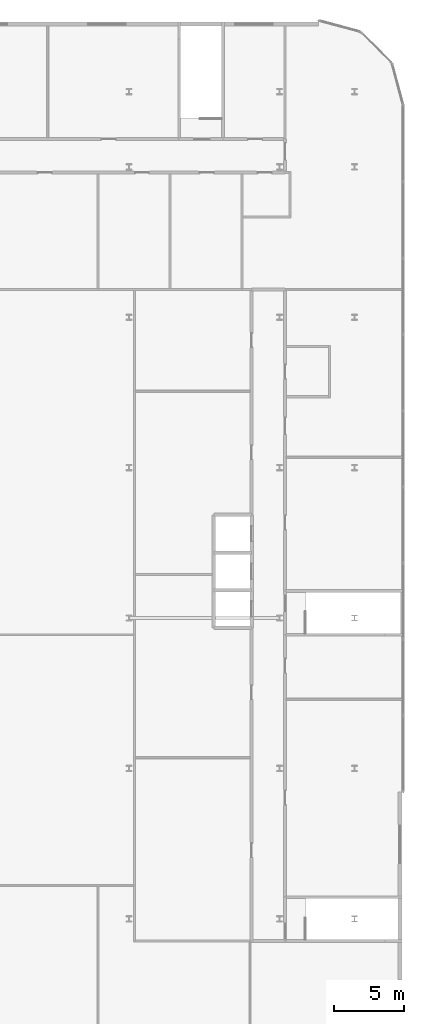
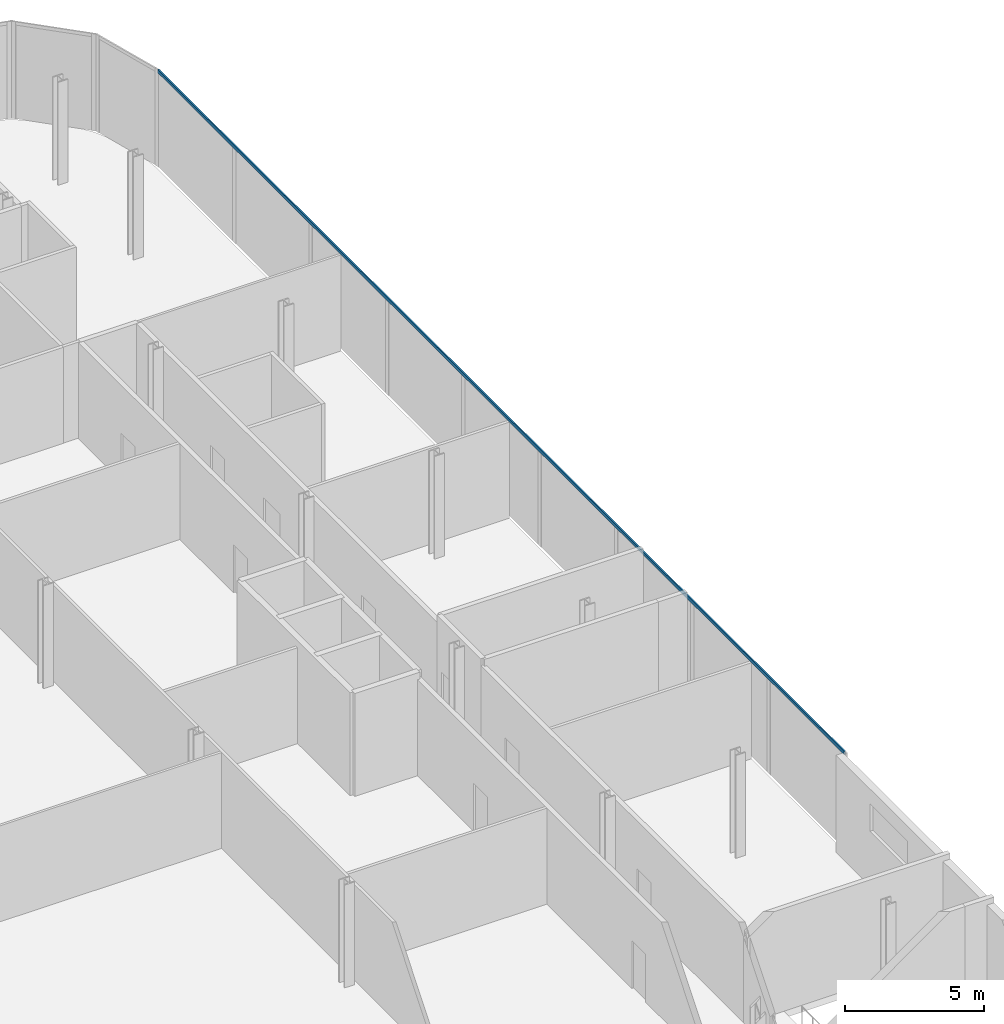
# One storey, part 20 of 43: 1 member, 1 element without a shape of its own.
"""IFC4 building model written with IfcOpenShell, lengths in metres."""

from ifc_helpers import new_model, si_unit, direction, frame, origin, origin_2d, place, context, subcontext, project, spatial, rectangle, extrude, material, layer, layer_set, material_profile, profile_set, type_object, element, aggregate, save


model = new_model("IFC4")

# Units and contexts
model_context = context("Model", 3, precision=1e-05, world=origin(), true_north=direction((0.0, 1.0)))
body_context = subcontext(model_context, "Body", "Model", "MODEL_VIEW")
ifc_project = project(units=[si_unit("LENGTHUNIT", "METRE"), si_unit("AREAUNIT", "SQUARE_METRE"), si_unit("VOLUMEUNIT", "CUBIC_METRE"), si_unit("PLANEANGLEUNIT", "RADIAN"), si_unit("MASSUNIT", "GRAM", prefix="KILO")], contexts=[model_context])

# Site, building, storey
site_placement = place(None, origin())
site = spatial("IfcSite", under=ifc_project, at=site_placement, CompositionType="ELEMENT")
building_placement = place(site_placement, origin())
building = spatial("IfcBuilding", under=site, at=building_placement, Name="Kheshtan School and Residences Tower", CompositionType="ELEMENT")
storey_placement = place(building_placement, frame((0.0, 0.0, 26.0)))
storey = spatial("IfcBuildingStorey", under=building, at=storey_placement, Name="L05", CompositionType="ELEMENT", Elevation=26.0)

# Curtain wall, member
ifc_material_1 = material(Name="Clear low-e glass in thermally broken aluminium frame", Category="aluminium")
ifc_layer = layer(ifc_material_1, 0.22509765625)
ifc_layer_set = layer_set([ifc_layer], Name="Curtain wall CW-P")
curtain_wall_type = type_object("IfcCurtainWallType", Name="Curtain wall CW-P", PredefinedType="NOTDEFINED", material=ifc_layer_set)
curtain_wall_placement = place(storey_placement, origin())
curtain_wall = element("IfcCurtainWall", 1, at=curtain_wall_placement, inside=storey, type_object=curtain_wall_type, Name="Curtain wall CWP8a", PredefinedType="NOTDEFINED")
ifc_material_2 = material(Name="Thermally broken aluminium, dark bronze anodised", Category="aluminium")
ifc_material_profile = material_profile(ifc_material_2, rectangle(XDim=0.06005859375, YDim=0.139892578125, at=origin_2d()), Name="CW-P transom 60x140")
ifc_profile_set = profile_set([ifc_material_profile], Name="Thermally broken aluminium, dark bronze anodised")
member_type = type_object("IfcMemberType", Name="CW-P transom 60x140", PredefinedType="USERDEFINED", material=ifc_profile_set)
member_placement = place(storey_placement, frame((132.10009765625, 104.02490234375, 4.179931640625), z_axis=(0.0, -1.0, 0.0), x_axis=(1.0, 0.0, 0.0)))
member = element("IfcMember", 2, at=member_placement, type_object=member_type, Name="CWP8a transom 1", ObjectType="TRANSOM", PredefinedType="USERDEFINED", context=body_context, shape_type="SweptSolid", body=[
    extrude(rectangle(XDim=0.06005859375, YDim=0.139892578125, at=origin_2d()), origin(), (0.0, 0.0, 1.0), 49.244873046875),
])
aggregate(curtain_wall, [member])

save(model, "model.ifc")
